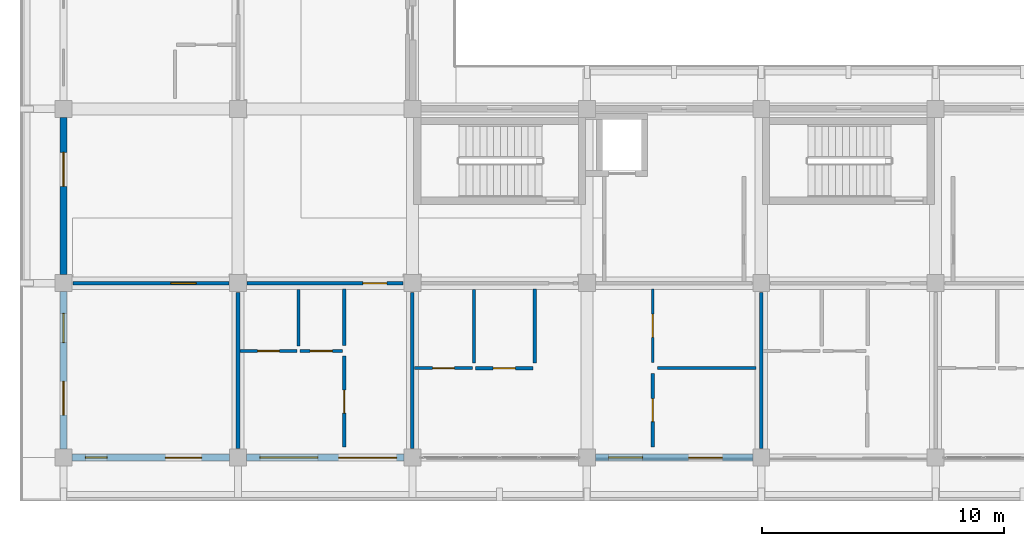
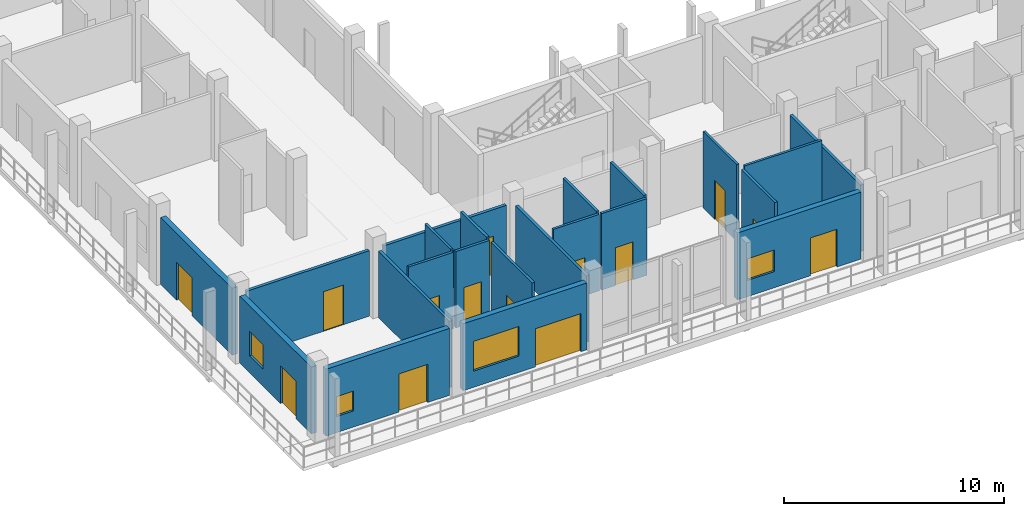
# One storey, part 64 of 110: 22 walls, 14 doors, 4 windows, 18 openings.
"""IFC4 building model written with IfcOpenShell, lengths in metres."""

from ifc_helpers import new_model, si_unit, direction, frame, frame_2d, origin, place, context, subcontext, project, spatial, rectangle, extrude, material, layer, layer_set, type_object, element, fill, save


model = new_model("IFC4")

# Units and contexts
model_context = context("Model", 3, precision=1e-05, world=origin(), true_north=direction((0.0, 1.0)))
body_context = subcontext(model_context, "Body", "Model", "MODEL_VIEW")
ifc_project = project(units=[si_unit("LENGTHUNIT", "METRE"), si_unit("AREAUNIT", "SQUARE_METRE"), si_unit("VOLUMEUNIT", "CUBIC_METRE"), si_unit("PLANEANGLEUNIT", "RADIAN"), si_unit("MASSUNIT", "GRAM", prefix="KILO")], contexts=[model_context])

# Site, building, storey
site_placement = place(None, origin())
site = spatial("IfcSite", under=ifc_project, at=site_placement, CompositionType="ELEMENT")
building_placement = place(site_placement, origin())
building = spatial("IfcBuilding", under=site, at=building_placement, Name="Suanplinth Sawtooth Commons", CompositionType="ELEMENT")
storey_placement = place(building_placement, frame((0.0, 0.0, 4.5)))
storey = spatial("IfcBuildingStorey", under=building, at=storey_placement, Name="L01", CompositionType="ELEMENT", Elevation=4.5)

# Wall, openings, door, window
ifc_material_1 = material(Name="Precast concrete C40/50", Category="concrete")
ifc_layer_1 = layer(ifc_material_1, 0.280029296875, Name="Insulated precast architectural facade wall 280mm")
ifc_layer_set_1 = layer_set([ifc_layer_1], Name="Precast concrete C40/50")
wall_type_1 = type_object("IfcWallType", Name="W-EX01", PredefinedType="ELEMENTEDWALL", material=ifc_layer_set_1)
wall_1_placement = place(storey_placement, frame((0.35009765625, 0.0, 0.0), z_axis=(0.0, 0.0, 1.0), x_axis=(1.0, 0.0, 0.0)))
wall_1 = element("IfcWall", 1, at=wall_1_placement, inside=storey, type_object=wall_type_1, Name="Facade Wall W-L01-D-S-0-0", PredefinedType="ELEMENTEDWALL", context=body_context, shape_type="SweptSolid", body=[
    extrude(rectangle(XDim=6.5, YDim=0.280029296875, at=frame_2d((3.25, 0.0))), origin(), (0.0, 0.0, 1.0), 3.715087890625),
])
opening_1_placement = place(wall_1_placement, frame((3.85009765625, 0.0, 0.0)))
opening_1 = element("IfcOpeningElement", 2, at=opening_1_placement, cuts=wall_1, Name="Opening ED0109", PredefinedType="OPENING", context=body_context, shape_type="SweptSolid", body=[
    extrude(rectangle(XDim=1.5, YDim=2.1201171875, at=frame_2d((0.75, 1.06005859375))), frame((0.0, 0.15478515625, 0.0), z_axis=(0.0, -1.0, 0.0), x_axis=(1.0, 0.0, 0.0)), (0.0, 0.0, 1.0), 0.309814453125),
])
opening_2_placement = place(wall_1_placement, frame((0.550048828125, 0.0, 0.89990234375)))
opening_2 = element("IfcOpeningElement", 3, at=opening_2_placement, cuts=wall_1, Name="Opening W0230", PredefinedType="OPENING", context=body_context, shape_type="SweptSolid", body=[
    extrude(rectangle(XDim=0.89990234375, YDim=1.10009765625, at=frame_2d((0.449951171875, 0.550048828125))), frame((0.0, 0.15478515625, 0.0), z_axis=(0.0, -1.0, 0.0), x_axis=(1.0, 0.0, 0.0)), (0.0, 0.0, 1.0), 0.309814453125),
])
ifc_material_2 = material(Name="Anodized aluminium and low-E glass", Category="aluminium")
door_type_1 = type_object("IfcDoorType", Name="SD-03", OperationType="SLIDING_TO_LEFT", PredefinedType="DOOR", material=ifc_material_2)
door_1_placement = place(opening_1_placement, frame((1.5, 0.0, 0.0), z_axis=(0.0, 0.0, 1.0), x_axis=(-1.0, 0.0, 0.0)))
door_1 = element("IfcDoor", 4, at=door_1_placement, inside=storey, type_object=door_type_1, Name="Balcony Sliding Door L01-D-0", OperationType="SLIDING_TO_LEFT", OverallHeight=2.1201171875, OverallWidth=1.5, PredefinedType="DOOR", context=body_context, shape_type="SweptSolid", body=[
    extrude(rectangle(XDim=1.5, YDim=2.1201171875, at=frame_2d((0.75, 1.06005859375))), frame((0.0, 0.02490234375, 0.0), z_axis=(0.0, -1.0, 0.0), x_axis=(1.0, 0.0, 0.0)), (0.0, 0.0, 1.0), 0.050048828125),
])
fill(opening_1, door_1)
ifc_material_3 = material(Name="Thermally broken aluminium and low-E double glazing", Category="aluminium")
window_type_1 = type_object("IfcWindowType", Name="WN-04", PartitioningType="SINGLE_PANEL", PredefinedType="WINDOW", material=ifc_material_3)
window_1_placement = place(opening_2_placement, origin())
window_1 = element("IfcWindow", 5, at=window_1_placement, inside=storey, type_object=window_type_1, Name="Apartment Window L01-D-0", OverallHeight=1.10009765625, OverallWidth=0.89990234375, PartitioningType="SINGLE_PANEL", PredefinedType="WINDOW", context=body_context, shape_type="SweptSolid", body=[
    extrude(rectangle(XDim=0.89990234375, YDim=1.10009765625, at=frame_2d((0.449951171875, 0.550048828125))), frame((0.0, 0.030029296875, 0.0), z_axis=(0.0, -1.0, 0.0), x_axis=(1.0, 0.0, 0.0)), (0.0, 0.0, 1.0), 0.06005859375),
])
fill(opening_2, window_1)

wall_2_placement = place(storey_placement, frame((0.0, 0.35009765625, 0.0), z_axis=(0.0, 0.0, 1.0), x_axis=(0.0, 1.0, 0.0)))
wall_2 = element("IfcWall", 6, at=wall_2_placement, inside=storey, type_object=wall_type_1, Name="Facade Wall W-L01-D-W-0-0", PredefinedType="ELEMENTEDWALL", context=body_context, shape_type="SweptSolid", body=[
    extrude(rectangle(XDim=6.5, YDim=0.280029296875, at=frame_2d((3.25, 0.0))), origin(), (0.0, 0.0, 1.0), 3.715087890625),
])
opening_3_placement = place(wall_2_placement, frame((1.39990234375, 0.0, 0.0)))
opening_3 = element("IfcOpeningElement", 7, at=opening_3_placement, cuts=wall_2, Name="Opening ED0110", PredefinedType="OPENING", context=body_context, shape_type="SweptSolid", body=[
    extrude(rectangle(XDim=1.39990234375, YDim=2.10009765625, at=frame_2d((0.699951171875, 1.050048828125))), frame((0.0, 0.15478515625, 0.0), z_axis=(0.0, -1.0, 0.0), x_axis=(1.0, 0.0, 0.0)), (0.0, 0.0, 1.0), 0.309814453125),
])
opening_4_placement = place(wall_2_placement, frame((4.39990234375, 0.0, 0.949951171875)))
opening_4 = element("IfcOpeningElement", 8, at=opening_4_placement, cuts=wall_2, Name="Opening W0231", PredefinedType="OPENING", context=body_context, shape_type="SweptSolid", body=[
    extrude(rectangle(XDim=1.199951171875, YDim=1.35009765625, at=frame_2d((0.60009765625, 0.675048828125))), frame((0.0, 0.15478515625, 0.0), z_axis=(0.0, -1.0, 0.0), x_axis=(1.0, 0.0, 0.0)), (0.0, 0.0, 1.0), 0.309814453125),
])
door_type_2 = type_object("IfcDoorType", Name="SD-07", OperationType="SLIDING_TO_RIGHT", PredefinedType="DOOR", material=ifc_material_2)
door_2_placement = place(opening_3_placement, frame((1.39990234375, 0.0, 0.0), z_axis=(0.0, 0.0, 1.0), x_axis=(-1.0, 0.0, 0.0)))
door_2 = element("IfcDoor", 9, at=door_2_placement, inside=storey, type_object=door_type_2, Name="End Balcony Sliding Door L01-D-W-0-0", OperationType="SLIDING_TO_RIGHT", OverallHeight=2.10009765625, OverallWidth=1.39990234375, PredefinedType="DOOR", context=body_context, shape_type="SweptSolid", body=[
    extrude(rectangle(XDim=1.39990234375, YDim=2.10009765625, at=frame_2d((0.699951171875, 1.050048828125))), frame((0.0, 0.02490234375, 0.0), z_axis=(0.0, -1.0, 0.0), x_axis=(1.0, 0.0, 0.0)), (0.0, 0.0, 1.0), 0.050048828125),
])
fill(opening_3, door_2)
window_type_2 = type_object("IfcWindowType", Name="WN-03", PartitioningType="SINGLE_PANEL", PredefinedType="WINDOW", material=ifc_material_3)
window_2_placement = place(opening_4_placement, origin())
window_2 = element("IfcWindow", 10, at=window_2_placement, inside=storey, type_object=window_type_2, Name="End Bedroom Window L01-D-0-0", OverallHeight=1.35009765625, OverallWidth=1.199951171875, PartitioningType="SINGLE_PANEL", PredefinedType="WINDOW", context=body_context, shape_type="SweptSolid", body=[
    extrude(rectangle(XDim=1.199951171875, YDim=1.35009765625, at=frame_2d((0.60009765625, 0.675048828125))), frame((0.0, 0.030029296875, 0.0), z_axis=(0.0, -1.0, 0.0), x_axis=(1.0, 0.0, 0.0)), (0.0, 0.0, 1.0), 0.06005859375),
])
fill(opening_4, window_2)

# Wall, opening, door
wall_3_placement = place(storey_placement, frame((0.0, 7.550048828125, 0.0), z_axis=(0.0, 0.0, 1.0), x_axis=(0.0, 1.0, 0.0)))
wall_3 = element("IfcWall", 11, at=wall_3_placement, inside=storey, type_object=wall_type_1, Name="Facade Wall W-L01-D-W-0-1", PredefinedType="ELEMENTEDWALL", context=body_context, shape_type="SweptSolid", body=[
    extrude(rectangle(XDim=6.5, YDim=0.280029296875, at=frame_2d((3.25, 0.0))), origin(), (0.0, 0.0, 1.0), 3.715087890625),
])
opening_5_placement = place(wall_3_placement, frame((3.64990234375, 0.0, 0.0)))
opening_5 = element("IfcOpeningElement", 12, at=opening_5_placement, cuts=wall_3, Name="Opening ED0111", PredefinedType="OPENING", context=body_context, shape_type="SweptSolid", body=[
    extrude(rectangle(XDim=1.39990234375, YDim=2.10009765625, at=frame_2d((0.699951171875, 1.050048828125))), frame((0.0, 0.15478515625, 0.0), z_axis=(0.0, -1.0, 0.0), x_axis=(1.0, 0.0, 0.0)), (0.0, 0.0, 1.0), 0.309814453125),
])
door_3_placement = place(opening_5_placement, frame((1.39990234375, 0.0, 0.0), z_axis=(0.0, 0.0, 1.0), x_axis=(-1.0, 0.0, 0.0)))
door_3 = element("IfcDoor", 13, at=door_3_placement, inside=storey, type_object=door_type_2, Name="End Balcony Sliding Door L01-D-W-0-1", OperationType="SLIDING_TO_RIGHT", OverallHeight=2.10009765625, OverallWidth=1.39990234375, PredefinedType="DOOR", context=body_context, shape_type="SweptSolid", body=[
    extrude(rectangle(XDim=1.39990234375, YDim=2.10009765625, at=frame_2d((0.699951171875, 1.050048828125))), frame((0.0, 0.02490234375, 0.0), z_axis=(0.0, -1.0, 0.0), x_axis=(1.0, 0.0, 0.0)), (0.0, 0.0, 1.0), 0.050048828125),
])
fill(opening_5, door_3)

# Wall, openings, door, window
wall_4_placement = place(storey_placement, frame((7.550048828125, 0.0, 0.0), z_axis=(0.0, 0.0, 1.0), x_axis=(1.0, 0.0, 0.0)))
wall_4 = element("IfcWall", 14, at=wall_4_placement, inside=storey, type_object=wall_type_1, Name="Facade Wall W-L01-D-S-1-0", PredefinedType="ELEMENTEDWALL", context=body_context, shape_type="SweptSolid", body=[
    extrude(rectangle(XDim=6.5, YDim=0.280029296875, at=frame_2d((3.25, 0.0))), origin(), (0.0, 0.0, 1.0), 3.715087890625),
])
opening_6_placement = place(wall_4_placement, frame((3.800048828125, 0.0, 0.0)))
opening_6 = element("IfcOpeningElement", 15, at=opening_6_placement, cuts=wall_4, Name="Opening ED0117", PredefinedType="OPENING", context=body_context, shape_type="SweptSolid", body=[
    extrude(rectangle(XDim=2.39990234375, YDim=2.1201171875, at=frame_2d((1.199951171875, 1.06005859375))), frame((0.0, 0.15478515625, 0.0), z_axis=(0.0, -1.0, 0.0), x_axis=(1.0, 0.0, 0.0)), (0.0, 0.0, 1.0), 0.309814453125),
])
opening_7_placement = place(wall_4_placement, frame((0.550048828125, 0.0, 0.89990234375)))
opening_7 = element("IfcOpeningElement", 16, at=opening_7_placement, cuts=wall_4, Name="Opening W0236", PredefinedType="OPENING", context=body_context, shape_type="SweptSolid", body=[
    extrude(rectangle(XDim=2.39990234375, YDim=1.64990234375, at=frame_2d((1.199951171875, 0.824951171875))), frame((0.0, 0.15478515625, 0.0), z_axis=(0.0, -1.0, 0.0), x_axis=(1.0, 0.0, 0.0)), (0.0, 0.0, 1.0), 0.309814453125),
])
door_type_3 = type_object("IfcDoorType", Name="SD-04", OperationType="DOUBLE_DOOR_SLIDING", PredefinedType="DOOR", material=ifc_material_2)
door_4_placement = place(opening_6_placement, frame((2.39990234375, 0.0, 0.0), z_axis=(0.0, 0.0, 1.0), x_axis=(-1.0, 0.0, 0.0)))
door_4 = element("IfcDoor", 17, at=door_4_placement, inside=storey, type_object=door_type_3, Name="Balcony Sliding Door L01-D-1", OperationType="DOUBLE_DOOR_SLIDING", OverallHeight=2.1201171875, OverallWidth=2.39990234375, PredefinedType="DOOR", context=body_context, shape_type="SweptSolid", body=[
    extrude(rectangle(XDim=2.39990234375, YDim=2.1201171875, at=frame_2d((1.199951171875, 1.06005859375))), frame((0.0, 0.02490234375, 0.0), z_axis=(0.0, -1.0, 0.0), x_axis=(1.0, 0.0, 0.0)), (0.0, 0.0, 1.0), 0.050048828125),
])
fill(opening_6, door_4)
window_type_3 = type_object("IfcWindowType", Name="WN-05", PartitioningType="TRIPLE_PANEL_VERTICAL", PredefinedType="WINDOW", material=ifc_material_3)
window_3_placement = place(opening_7_placement, origin())
window_3 = element("IfcWindow", 18, at=window_3_placement, inside=storey, type_object=window_type_3, Name="Apartment Window L01-D-1", OverallHeight=1.64990234375, OverallWidth=2.39990234375, PartitioningType="TRIPLE_PANEL_VERTICAL", PredefinedType="WINDOW", context=body_context, shape_type="SweptSolid", body=[
    extrude(rectangle(XDim=2.39990234375, YDim=1.64990234375, at=frame_2d((1.199951171875, 0.824951171875))), frame((0.0, 0.030029296875, 0.0), z_axis=(0.0, -1.0, 0.0), x_axis=(1.0, 0.0, 0.0)), (0.0, 0.0, 1.0), 0.06005859375),
])
fill(opening_7, window_3)

wall_5_placement = place(storey_placement, frame((21.949951171875, 0.0, 0.0), z_axis=(0.0, 0.0, 1.0), x_axis=(1.0, 0.0, 0.0)))
wall_5 = element("IfcWall", 19, at=wall_5_placement, inside=storey, type_object=wall_type_1, Name="Facade Wall W-L01-D-S-3-0", PredefinedType="ELEMENTEDWALL", context=body_context, shape_type="SweptSolid", body=[
    extrude(rectangle(XDim=6.5, YDim=0.280029296875, at=frame_2d((3.25, 0.0))), origin(), (0.0, 0.0, 1.0), 3.715087890625),
])
opening_8_placement = place(wall_5_placement, frame((3.85009765625, 0.0, 0.0)))
opening_8 = element("IfcOpeningElement", 20, at=opening_8_placement, cuts=wall_5, Name="Opening ED0122", PredefinedType="OPENING", context=body_context, shape_type="SweptSolid", body=[
    extrude(rectangle(XDim=1.39990234375, YDim=2.10009765625, at=frame_2d((0.699951171875, 1.050048828125))), frame((0.0, 0.15478515625, 0.0), z_axis=(0.0, -1.0, 0.0), x_axis=(1.0, 0.0, 0.0)), (0.0, 0.0, 1.0), 0.309814453125),
])
opening_9_placement = place(wall_5_placement, frame((0.550048828125, 0.0, 0.89990234375)))
opening_9 = element("IfcOpeningElement", 21, at=opening_9_placement, cuts=wall_5, Name="Opening W0239", PredefinedType="OPENING", context=body_context, shape_type="SweptSolid", body=[
    extrude(rectangle(XDim=1.39990234375, YDim=1.199951171875, at=frame_2d((0.699951171875, 0.60009765625))), frame((0.0, 0.15478515625, 0.0), z_axis=(0.0, -1.0, 0.0), x_axis=(1.0, 0.0, 0.0)), (0.0, 0.0, 1.0), 0.309814453125),
])
door_5_placement = place(opening_8_placement, frame((1.39990234375, 0.0, 0.0), z_axis=(0.0, 0.0, 1.0), x_axis=(-1.0, 0.0, 0.0)))
door_5 = element("IfcDoor", 22, at=door_5_placement, inside=storey, type_object=door_type_2, Name="Balcony Sliding Door L01-D-3", OperationType="SLIDING_TO_RIGHT", OverallHeight=2.10009765625, OverallWidth=1.39990234375, PredefinedType="DOOR", context=body_context, shape_type="SweptSolid", body=[
    extrude(rectangle(XDim=1.39990234375, YDim=2.10009765625, at=frame_2d((0.699951171875, 1.050048828125))), frame((0.0, 0.02490234375, 0.0), z_axis=(0.0, -1.0, 0.0), x_axis=(1.0, 0.0, 0.0)), (0.0, 0.0, 1.0), 0.050048828125),
])
fill(opening_8, door_5)
window_type_4 = type_object("IfcWindowType", Name="WN-10", PartitioningType="DOUBLE_PANEL_HORIZONTAL", PredefinedType="WINDOW", material=ifc_material_3)
window_4_placement = place(opening_9_placement, origin())
window_4 = element("IfcWindow", 23, at=window_4_placement, inside=storey, type_object=window_type_4, Name="Apartment Window L01-D-3", OverallHeight=1.199951171875, OverallWidth=1.39990234375, PartitioningType="DOUBLE_PANEL_HORIZONTAL", PredefinedType="WINDOW", context=body_context, shape_type="SweptSolid", body=[
    extrude(rectangle(XDim=1.39990234375, YDim=1.199951171875, at=frame_2d((0.699951171875, 0.60009765625))), frame((0.0, 0.030029296875, 0.0), z_axis=(0.0, -1.0, 0.0), x_axis=(1.0, 0.0, 0.0)), (0.0, 0.0, 1.0), 0.06005859375),
])
fill(opening_9, window_4)

# Wall, opening, door
ifc_layer_2 = layer(ifc_material_1, 0.159912109375, Name="Fire-rated corridor and lobby wall 160mm")
ifc_layer_set_2 = layer_set([ifc_layer_2], Name="Precast concrete C40/50")
wall_type_2 = type_object("IfcWallType", Name="W-FW01", PredefinedType="PARTITIONING", material=ifc_layer_set_2)
wall_6_placement = place(storey_placement, frame((0.3798828125, 7.199951171875, 0.0), z_axis=(0.0, 0.0, 1.0), x_axis=(1.0, 0.0, 0.0)))
wall_6 = element("IfcWall", 24, at=wall_6_placement, inside=storey, type_object=wall_type_2, Name="W-D-L01-U01-COR", PredefinedType="PARTITIONING", context=body_context, shape_type="SweptSolid", body=[
    extrude(rectangle(XDim=6.440185546875, YDim=0.159912109375, at=frame_2d((3.22021484375, 0.0))), origin(), (0.0, 0.0, 1.0), 3.635009765625),
])
opening_10_placement = place(wall_6_placement, frame((4.044921875, 0.0, 0.0)))
opening_10 = element("IfcOpeningElement", 25, at=opening_10_placement, cuts=wall_6, Name="Opening D0651", PredefinedType="OPENING", context=body_context, shape_type="SweptSolid", body=[
    extrude(rectangle(XDim=1.050048828125, YDim=2.199951171875, at=frame_2d((0.52490234375, 1.10009765625))), frame((0.0, 0.0947265625, 0.0), z_axis=(0.0, -1.0, 0.0), x_axis=(1.0, 0.0, 0.0)), (0.0, 0.0, 1.0), 0.189697265625),
])
ifc_material_4 = material(Name="Teak hardwood", Category="wood")
door_type_4 = type_object("IfcDoorType", Name="D-05", OperationType="NOTDEFINED", PredefinedType="DOOR", material=ifc_material_4)
door_6_placement = place(opening_10_placement, frame((1.050048828125, 0.0, 0.0), z_axis=(0.0, 0.0, 1.0), x_axis=(-1.0, 0.0, 0.0)))
door_6 = element("IfcDoor", 26, at=door_6_placement, inside=storey, type_object=door_type_4, Name="Unit Entrance Door D0651", OperationType="SINGLE_SWING_LEFT", OverallHeight=2.199951171875, OverallWidth=1.050048828125, PredefinedType="DOOR", context=body_context, shape_type="SweptSolid", body=[
    extrude(rectangle(XDim=1.050048828125, YDim=2.199951171875, at=frame_2d((0.52490234375, 1.10009765625))), frame((0.0, 0.02490234375, 0.0), z_axis=(0.0, -1.0, 0.0), x_axis=(1.0, 0.0, 0.0)), (0.0, 0.0, 1.0), 0.050048828125),
])
fill(opening_10, door_6)

wall_7_placement = place(storey_placement, frame((7.580078125, 7.199951171875, 0.0), z_axis=(0.0, 0.0, 1.0), x_axis=(1.0, 0.0, 0.0)))
wall_7 = element("IfcWall", 27, at=wall_7_placement, inside=storey, type_object=wall_type_2, Name="W-D-L01-U02-COR", PredefinedType="PARTITIONING", context=body_context, shape_type="SweptSolid", body=[
    extrude(rectangle(XDim=6.43994140625, YDim=0.159912109375, at=frame_2d((3.219970703125, 0.0))), origin(), (0.0, 0.0, 1.0), 3.635009765625),
])
opening_11_placement = place(wall_7_placement, frame((4.77001953125, 0.0, 0.0)))
opening_11 = element("IfcOpeningElement", 28, at=opening_11_placement, cuts=wall_7, Name="Opening FD0652", PredefinedType="OPENING", context=body_context, shape_type="SweptSolid", body=[
    extrude(rectangle(XDim=1.0, YDim=2.14990234375, at=frame_2d((0.5, 1.074951171875))), frame((0.0, 0.0947265625, 0.0), z_axis=(0.0, -1.0, 0.0), x_axis=(1.0, 0.0, 0.0)), (0.0, 0.0, 1.0), 0.189697265625),
])
ifc_material_5 = material(Name="Teak hardwood fire-rated door assembly", Category="wood")
door_type_5 = type_object("IfcDoorType", Name="FD-03", OperationType="NOTDEFINED", PredefinedType="DOOR", material=ifc_material_5)
door_7_placement = place(opening_11_placement, frame((1.0, 0.0, 0.0), z_axis=(0.0, 0.0, 1.0), x_axis=(-1.0, 0.0, 0.0)))
door_7 = element("IfcDoor", 29, at=door_7_placement, inside=storey, type_object=door_type_5, Name="Unit Entrance Door FD0652", OperationType="SINGLE_SWING_RIGHT", OverallHeight=2.14990234375, OverallWidth=1.0, PredefinedType="DOOR", context=body_context, shape_type="SweptSolid", body=[
    extrude(rectangle(XDim=1.0, YDim=2.14990234375, at=frame_2d((0.5, 1.074951171875))), frame((0.0, 0.02490234375, 0.0), z_axis=(0.0, -1.0, 0.0), x_axis=(1.0, 0.0, 0.0)), (0.0, 0.0, 1.0), 0.050048828125),
])
fill(opening_11, door_7)

# Walls
ifc_layer_3 = layer(ifc_material_1, 0.14990234375, Name="Acoustic precast party demising wall 150mm")
ifc_layer_set_3 = layer_set([ifc_layer_3], Name="Precast concrete C40/50")
wall_type_3 = type_object("IfcWallType", Name="W-FW02", PredefinedType="PARTITIONING", material=ifc_layer_set_3)
for number, where, z_axis, x_axis, name in (
    (30, (7.199951171875, 0.3798828125, 0.0), (0.0, 0.0, 1.0), (0.0, 1.0, 0.0), "W-D-L01-U01-PTY"),
    (31, (14.39990234375, 0.3798828125, 0.0), (0.0, 0.0, 1.0), (0.0, 1.0, 0.0), "W-D-L01-U02-PTY"),
    (32, (28.800048828125, 0.3798828125, 0.0), (0.0, 0.0, 1.0), (0.0, 1.0, 0.0), "W-D-L01-U03-PTY"),
):
    element("IfcWall", number, at=place(storey_placement, frame(where, z_axis=z_axis, x_axis=x_axis)), inside=storey, type_object=wall_type_3, Name=name, PredefinedType="PARTITIONING", context=body_context, shape_type="SweptSolid", body=[
        extrude(rectangle(XDim=6.440185546875, YDim=0.14990234375, at=frame_2d((3.22021484375, 0.0))), origin(), (0.0, 0.0, 1.0), 3.68505859375),
    ])

# Wall, opening, door
ifc_material_6 = material(Name="Gypsum plasterboard on steel stud", Category="steel")
ifc_layer_4 = layer(ifc_material_6, 0.139892578125, Name="Fire-rated kitchen partition 140mm")
ifc_layer_set_4 = layer_set([ifc_layer_4], Name="Gypsum plasterboard on steel stud")
wall_type_4 = type_object("IfcWallType", Name="W-PT01", PredefinedType="PARTITIONING", material=ifc_layer_set_4)
wall_8_placement = place(storey_placement, frame((9.75, 4.39990234375, 0.0), z_axis=(0.0, 0.0, 1.0), x_axis=(1.0, 0.0, 0.0)))
wall_8 = element("IfcWall", 33, at=wall_8_placement, inside=storey, type_object=wall_type_4, Name="W-D-L01-U02-KIT1", PredefinedType="PARTITIONING", context=body_context, shape_type="SweptSolid", body=[
    extrude(rectangle(XDim=1.77001953125, YDim=0.139892578125, at=frame_2d((0.885009765625, 0.0))), origin(), (0.0, 0.0, 1.0), 4.25),
])
opening_12_placement = place(wall_8_placement, frame((0.425048828125, 0.0, 0.0)))
opening_12 = element("IfcOpeningElement", 34, at=opening_12_placement, cuts=wall_8, Name="Opening D0654", PredefinedType="OPENING", context=body_context, shape_type="SweptSolid", body=[
    extrude(rectangle(XDim=0.919921875, YDim=2.10009765625, at=frame_2d((0.4599609375, 1.050048828125))), frame((0.0, 0.0849609375, 0.0), z_axis=(0.0, -1.0, 0.0), x_axis=(1.0, 0.0, 0.0)), (0.0, 0.0, 1.0), 0.169677734375),
])
door_type_6 = type_object("IfcDoorType", Name="D-02", OperationType="NOTDEFINED", PredefinedType="DOOR", material=ifc_material_4)
door_8_placement = place(opening_12_placement, origin())
door_8 = element("IfcDoor", 35, at=door_8_placement, inside=storey, type_object=door_type_6, Name="Kitchen Door D0654", OperationType="SINGLE_SWING_RIGHT", OverallHeight=2.10009765625, OverallWidth=0.919921875, PredefinedType="DOOR", context=body_context, shape_type="SweptSolid", body=[
    extrude(rectangle(XDim=0.919921875, YDim=2.10009765625, at=frame_2d((0.4599609375, 1.050048828125))), frame((0.0, 0.02490234375, 0.0), z_axis=(0.0, -1.0, 0.0), x_axis=(1.0, 0.0, 0.0)), (0.0, 0.0, 1.0), 0.050048828125),
])
fill(opening_12, door_8)

# Wall
wall_9_placement = place(storey_placement, frame((11.590087890625, 4.6201171875, 0.0), z_axis=(0.0, 0.0, 1.0), x_axis=(0.0, 1.0, 0.0)))
element("IfcWall", 36, at=wall_9_placement, inside=storey, type_object=wall_type_4, Name="W-D-L01-U02-KIT2", PredefinedType="PARTITIONING", context=body_context, shape_type="SweptSolid", body=[
    extrude(rectangle(XDim=2.349853515625, YDim=0.139892578125, at=frame_2d((1.1748046875, 0.0))), origin(), (0.0, 0.0, 1.0), 4.25),
])

# Wall, opening, door
wall_10_placement = place(storey_placement, frame((17.0, 3.68994140625, 0.0), z_axis=(0.0, 0.0, 1.0), x_axis=(1.0, 0.0, 0.0)))
wall_10 = element("IfcWall", 37, at=wall_10_placement, inside=storey, type_object=wall_type_4, Name="W-D-L01-U03-KIT1", PredefinedType="PARTITIONING", context=body_context, shape_type="SweptSolid", body=[
    extrude(rectangle(XDim=2.3798828125, YDim=0.139892578125, at=frame_2d((1.18994140625, 0.0))), origin(), (0.0, 0.0, 1.0), 4.25),
])
opening_13_placement = place(wall_10_placement, frame((0.72998046875, 0.0, 0.0)))
opening_13 = element("IfcOpeningElement", 38, at=opening_13_placement, cuts=wall_10, Name="Opening D0658", PredefinedType="OPENING", context=body_context, shape_type="SweptSolid", body=[
    extrude(rectangle(XDim=0.919921875, YDim=2.10009765625, at=frame_2d((0.4599609375, 1.050048828125))), frame((0.0, 0.0849609375, 0.0), z_axis=(0.0, -1.0, 0.0), x_axis=(1.0, 0.0, 0.0)), (0.0, 0.0, 1.0), 0.169677734375),
])
door_9_placement = place(opening_13_placement, origin())
door_9 = element("IfcDoor", 39, at=door_9_placement, inside=storey, type_object=door_type_6, Name="Kitchen Door D0658", OperationType="SINGLE_SWING_RIGHT", OverallHeight=2.10009765625, OverallWidth=0.919921875, PredefinedType="DOOR", context=body_context, shape_type="SweptSolid", body=[
    extrude(rectangle(XDim=0.919921875, YDim=2.10009765625, at=frame_2d((0.4599609375, 1.050048828125))), frame((0.0, 0.02490234375, 0.0), z_axis=(0.0, -1.0, 0.0), x_axis=(1.0, 0.0, 0.0)), (0.0, 0.0, 1.0), 0.050048828125),
])
fill(opening_13, door_9)

# Wall
wall_11_placement = place(storey_placement, frame((19.449951171875, 3.909912109375, 0.0), z_axis=(0.0, 0.0, 1.0), x_axis=(0.0, 1.0, 0.0)))
element("IfcWall", 40, at=wall_11_placement, inside=storey, type_object=wall_type_4, Name="W-D-L01-U03-KIT2", PredefinedType="PARTITIONING", context=body_context, shape_type="SweptSolid", body=[
    extrude(rectangle(XDim=3.06005859375, YDim=0.139892578125, at=frame_2d((1.530029296875, 0.0))), origin(), (0.0, 0.0, 1.0), 4.25),
])

# Wall, opening, door
ifc_layer_5 = layer(ifc_material_6, 0.1298828125, Name="Moisture-resistant bathroom partition 130mm")
ifc_layer_set_5 = layer_set([ifc_layer_5], Name="Gypsum plasterboard on steel stud")
wall_type_5 = type_object("IfcWallType", Name="W-PT02", PredefinedType="PARTITIONING", material=ifc_layer_set_5)
wall_12_placement = place(storey_placement, frame((7.280029296875, 4.405029296875, 0.0), z_axis=(0.0, 0.0, 1.0), x_axis=(1.0, 0.0, 0.0)))
wall_12 = element("IfcWall", 41, at=wall_12_placement, inside=storey, type_object=wall_type_5, Name="W-D-L01-U02-BTH1", PredefinedType="PARTITIONING", context=body_context, shape_type="SweptSolid", body=[
    extrude(rectangle(XDim=2.349853515625, YDim=0.1298828125, at=frame_2d((1.1748046875, 0.0))), origin(), (0.0, 0.0, 1.0), 4.25),
])
opening_14_placement = place(wall_12_placement, frame((0.72509765625, 0.0, 0.0)))
opening_14 = element("IfcOpeningElement", 42, at=opening_14_placement, cuts=wall_12, Name="Opening D0653", PredefinedType="OPENING", context=body_context, shape_type="SweptSolid", body=[
    extrude(rectangle(XDim=0.89990234375, YDim=2.10009765625, at=frame_2d((0.449951171875, 1.050048828125))), frame((0.0, 0.079833984375, 0.0), z_axis=(0.0, -1.0, 0.0), x_axis=(1.0, 0.0, 0.0)), (0.0, 0.0, 1.0), 0.15966796875),
])
door_type_7 = type_object("IfcDoorType", Name="D-01", OperationType="NOTDEFINED", PredefinedType="DOOR", material=ifc_material_4)
door_10_placement = place(opening_14_placement, origin())
door_10 = element("IfcDoor", 43, at=door_10_placement, inside=storey, type_object=door_type_7, Name="Bathroom Door D0653", OperationType="SINGLE_SWING_LEFT", OverallHeight=2.10009765625, OverallWidth=0.89990234375, PredefinedType="DOOR", context=body_context, shape_type="SweptSolid", body=[
    extrude(rectangle(XDim=0.89990234375, YDim=2.10009765625, at=frame_2d((0.449951171875, 1.050048828125))), frame((0.0, 0.02490234375, 0.0), z_axis=(0.0, -1.0, 0.0), x_axis=(1.0, 0.0, 0.0)), (0.0, 0.0, 1.0), 0.050048828125),
])
fill(opening_14, door_10)

# Wall
wall_13_placement = place(storey_placement, frame((9.695068359375, 4.610107421875, 0.0), z_axis=(0.0, 0.0, 1.0), x_axis=(0.0, 1.0, 0.0)))
element("IfcWall", 44, at=wall_13_placement, inside=storey, type_object=wall_type_5, Name="W-D-L01-U02-BTH2", PredefinedType="PARTITIONING", context=body_context, shape_type="SweptSolid", body=[
    extrude(rectangle(XDim=2.329833984375, YDim=0.1298828125, at=frame_2d((1.1650390625, 0.0))), origin(), (0.0, 0.0, 1.0), 4.25),
])

# Wall, opening, door
wall_14_placement = place(storey_placement, frame((14.47998046875, 3.695068359375, 0.0), z_axis=(0.0, 0.0, 1.0), x_axis=(1.0, 0.0, 0.0)))
wall_14 = element("IfcWall", 45, at=wall_14_placement, inside=storey, type_object=wall_type_5, Name="W-D-L01-U03-BTH1", PredefinedType="PARTITIONING", context=body_context, shape_type="SweptSolid", body=[
    extrude(rectangle(XDim=2.39990234375, YDim=0.1298828125, at=frame_2d((1.199951171875, 0.0))), origin(), (0.0, 0.0, 1.0), 4.25),
])
opening_15_placement = place(wall_14_placement, frame((0.75, 0.0, 0.0)))
opening_15 = element("IfcOpeningElement", 46, at=opening_15_placement, cuts=wall_14, Name="Opening D0657", PredefinedType="OPENING", context=body_context, shape_type="SweptSolid", body=[
    extrude(rectangle(XDim=0.89990234375, YDim=2.10009765625, at=frame_2d((0.449951171875, 1.050048828125))), frame((0.0, 0.079833984375, 0.0), z_axis=(0.0, -1.0, 0.0), x_axis=(1.0, 0.0, 0.0)), (0.0, 0.0, 1.0), 0.15966796875),
])
door_11_placement = place(opening_15_placement, origin())
door_11 = element("IfcDoor", 47, at=door_11_placement, inside=storey, type_object=door_type_7, Name="Bathroom Door D0657", OperationType="SINGLE_SWING_LEFT", OverallHeight=2.10009765625, OverallWidth=0.89990234375, PredefinedType="DOOR", context=body_context, shape_type="SweptSolid", body=[
    extrude(rectangle(XDim=0.89990234375, YDim=2.10009765625, at=frame_2d((0.449951171875, 1.050048828125))), frame((0.0, 0.02490234375, 0.0), z_axis=(0.0, -1.0, 0.0), x_axis=(1.0, 0.0, 0.0)), (0.0, 0.0, 1.0), 0.050048828125),
])
fill(opening_15, door_11)

# Wall
wall_15_placement = place(storey_placement, frame((16.945068359375, 3.89990234375, 0.0), z_axis=(0.0, 0.0, 1.0), x_axis=(0.0, 1.0, 0.0)))
element("IfcWall", 48, at=wall_15_placement, inside=storey, type_object=wall_type_5, Name="W-D-L01-U03-BTH2", PredefinedType="PARTITIONING", context=body_context, shape_type="SweptSolid", body=[
    extrude(rectangle(XDim=3.0400390625, YDim=0.1298828125, at=frame_2d((1.52001953125, 0.0))), origin(), (0.0, 0.0, 1.0), 4.25),
])

# Wall, opening, door
ifc_layer_6 = layer(ifc_material_6, 0.1201171875, Name="Acoustic bedroom partition 120mm")
ifc_layer_set_6 = layer_set([ifc_layer_6], Name="Gypsum plasterboard on steel stud")
wall_type_6 = type_object("IfcWallType", Name="W-PT03", PredefinedType="PARTITIONING", material=ifc_layer_set_6)
wall_16_placement = place(storey_placement, frame((24.320068359375, 3.919921875, 0.0), z_axis=(0.0, 0.0, 1.0), x_axis=(0.0, 1.0, 0.0)))
wall_16 = element("IfcWall", 49, at=wall_16_placement, inside=storey, type_object=wall_type_6, Name="W-D-L01-U03-BED2", PredefinedType="PARTITIONING", context=body_context, shape_type="SweptSolid", body=[
    extrude(rectangle(XDim=3.0400390625, YDim=0.1201171875, at=frame_2d((1.52001953125, 0.0))), origin(), (0.0, 0.0, 1.0), 4.25),
])
opening_16_placement = place(wall_16_placement, frame((1.0400390625, 0.0, 0.0)))
opening_16 = element("IfcOpeningElement", 50, at=opening_16_placement, cuts=wall_16, Name="Opening D0660", PredefinedType="OPENING", context=body_context, shape_type="SweptSolid", body=[
    extrude(rectangle(XDim=0.9599609375, YDim=2.14990234375, at=frame_2d((0.47998046875, 1.074951171875))), frame((0.0, 0.074951171875, 0.0), z_axis=(0.0, -1.0, 0.0), x_axis=(1.0, 0.0, 0.0)), (0.0, 0.0, 1.0), 0.14990234375),
])
door_type_8 = type_object("IfcDoorType", Name="D-13", OperationType="NOTDEFINED", PredefinedType="DOOR", material=ifc_material_4)
door_12_placement = place(opening_16_placement, frame((0.9599609375, 0.0, 0.0), z_axis=(0.0, 0.0, 1.0), x_axis=(-1.0, 0.0, 0.0)))
door_12 = element("IfcDoor", 51, at=door_12_placement, inside=storey, type_object=door_type_8, Name="Second Bedroom Door D0660", OperationType="SINGLE_SWING_RIGHT", OverallHeight=2.14990234375, OverallWidth=0.9599609375, PredefinedType="DOOR", context=body_context, shape_type="SweptSolid", body=[
    extrude(rectangle(XDim=0.9599609375, YDim=2.14990234375, at=frame_2d((0.47998046875, 1.074951171875))), frame((0.0, 0.02490234375, 0.0), z_axis=(0.0, -1.0, 0.0), x_axis=(1.0, 0.0, 0.0)), (0.0, 0.0, 1.0), 0.050048828125),
])
fill(opening_16, door_12)

# Wall
ifc_layer_7 = layer(ifc_material_6, 0.125, Name="Acoustic study partition 125mm")
ifc_layer_set_7 = layer_set([ifc_layer_7], Name="Gypsum plasterboard on steel stud")
wall_type_7 = type_object("IfcWallType", Name="W-PT06", PredefinedType="PARTITIONING", material=ifc_layer_set_7)
wall_17_placement = place(storey_placement, frame((24.52001953125, 3.699951171875, 0.0), z_axis=(0.0, 0.0, 1.0), x_axis=(1.0, 0.0, 0.0)))
element("IfcWall", 52, at=wall_17_placement, inside=storey, type_object=wall_type_7, Name="W-D-L01-U03-BEDDIV", PredefinedType="PARTITIONING", context=body_context, shape_type="SweptSolid", body=[
    extrude(rectangle(XDim=4.06005859375, YDim=0.125, at=frame_2d((2.030029296875, 0.0))), origin(), (0.0, 0.0, 1.0), 4.25),
])

# Wall, opening, door
ifc_layer_8 = layer(ifc_material_6, 0.135009765625, Name="Insulated bedroom demising partition 135mm")
ifc_layer_set_8 = layer_set([ifc_layer_8], Name="Gypsum plasterboard on steel stud")
wall_type_8 = type_object("IfcWallType", Name="W-PT07", PredefinedType="PARTITIONING", material=ifc_layer_set_8)
wall_18_placement = place(storey_placement, frame((11.580078125, 0.43994140625, 0.0), z_axis=(0.0, 0.0, 1.0), x_axis=(0.0, 1.0, 0.0)))
wall_18 = element("IfcWall", 53, at=wall_18_placement, inside=storey, type_object=wall_type_8, Name="W-D-L01-U02-BED1", PredefinedType="PARTITIONING", context=body_context, shape_type="SweptSolid", body=[
    extrude(rectangle(XDim=3.75, YDim=0.135009765625, at=frame_2d((1.875, 0.0))), origin(), (0.0, 0.0, 1.0), 4.25),
])
opening_17_placement = place(wall_18_placement, frame((1.39990234375, 0.0, 0.0)))
opening_17 = element("IfcOpeningElement", 54, at=opening_17_placement, cuts=wall_18, Name="Opening D0655", PredefinedType="OPENING", context=body_context, shape_type="SweptSolid", body=[
    extrude(rectangle(XDim=0.949951171875, YDim=2.14990234375, at=frame_2d((0.47509765625, 1.074951171875))), frame((0.0, 0.08251953125, 0.0), z_axis=(0.0, -1.0, 0.0), x_axis=(1.0, 0.0, 0.0)), (0.0, 0.0, 1.0), 0.164794921875),
])
door_type_9 = type_object("IfcDoorType", Name="D-03", OperationType="NOTDEFINED", PredefinedType="DOOR", material=ifc_material_4)
door_13_placement = place(opening_17_placement, origin())
door_13 = element("IfcDoor", 55, at=door_13_placement, inside=storey, type_object=door_type_9, Name="Bedroom Door D0655", OperationType="SINGLE_SWING_LEFT", OverallHeight=2.14990234375, OverallWidth=0.949951171875, PredefinedType="DOOR", context=body_context, shape_type="SweptSolid", body=[
    extrude(rectangle(XDim=0.949951171875, YDim=2.14990234375, at=frame_2d((0.47509765625, 1.074951171875))), frame((0.0, 0.02490234375, 0.0), z_axis=(0.0, -1.0, 0.0), x_axis=(1.0, 0.0, 0.0)), (0.0, 0.0, 1.0), 0.050048828125),
])
fill(opening_17, door_13)

wall_19_placement = place(storey_placement, frame((24.320068359375, 0.43994140625, 0.0), z_axis=(0.0, 0.0, 1.0), x_axis=(0.0, 1.0, 0.0)))
wall_19 = element("IfcWall", 56, at=wall_19_placement, inside=storey, type_object=wall_type_8, Name="W-D-L01-U03-BED1", PredefinedType="PARTITIONING", context=body_context, shape_type="SweptSolid", body=[
    extrude(rectangle(XDim=3.0400390625, YDim=0.135009765625, at=frame_2d((1.52001953125, 0.0))), origin(), (0.0, 0.0, 1.0), 4.25),
])
opening_18_placement = place(wall_19_placement, frame((1.044921875, 0.0, 0.0)))
opening_18 = element("IfcOpeningElement", 57, at=opening_18_placement, cuts=wall_19, Name="Opening D0659", PredefinedType="OPENING", context=body_context, shape_type="SweptSolid", body=[
    extrude(rectangle(XDim=0.949951171875, YDim=2.14990234375, at=frame_2d((0.47509765625, 1.074951171875))), frame((0.0, 0.08251953125, 0.0), z_axis=(0.0, -1.0, 0.0), x_axis=(1.0, 0.0, 0.0)), (0.0, 0.0, 1.0), 0.164794921875),
])
door_14_placement = place(opening_18_placement, frame((0.949951171875, 0.0, 0.0), z_axis=(0.0, 0.0, 1.0), x_axis=(-1.0, 0.0, 0.0)))
door_14 = element("IfcDoor", 58, at=door_14_placement, inside=storey, type_object=door_type_9, Name="Bedroom Door D0659", OperationType="SINGLE_SWING_LEFT", OverallHeight=2.14990234375, OverallWidth=0.949951171875, PredefinedType="DOOR", context=body_context, shape_type="SweptSolid", body=[
    extrude(rectangle(XDim=0.949951171875, YDim=2.14990234375, at=frame_2d((0.47509765625, 1.074951171875))), frame((0.0, 0.02490234375, 0.0), z_axis=(0.0, -1.0, 0.0), x_axis=(1.0, 0.0, 0.0)), (0.0, 0.0, 1.0), 0.050048828125),
])
fill(opening_18, door_14)

save(model, "model.ifc")
